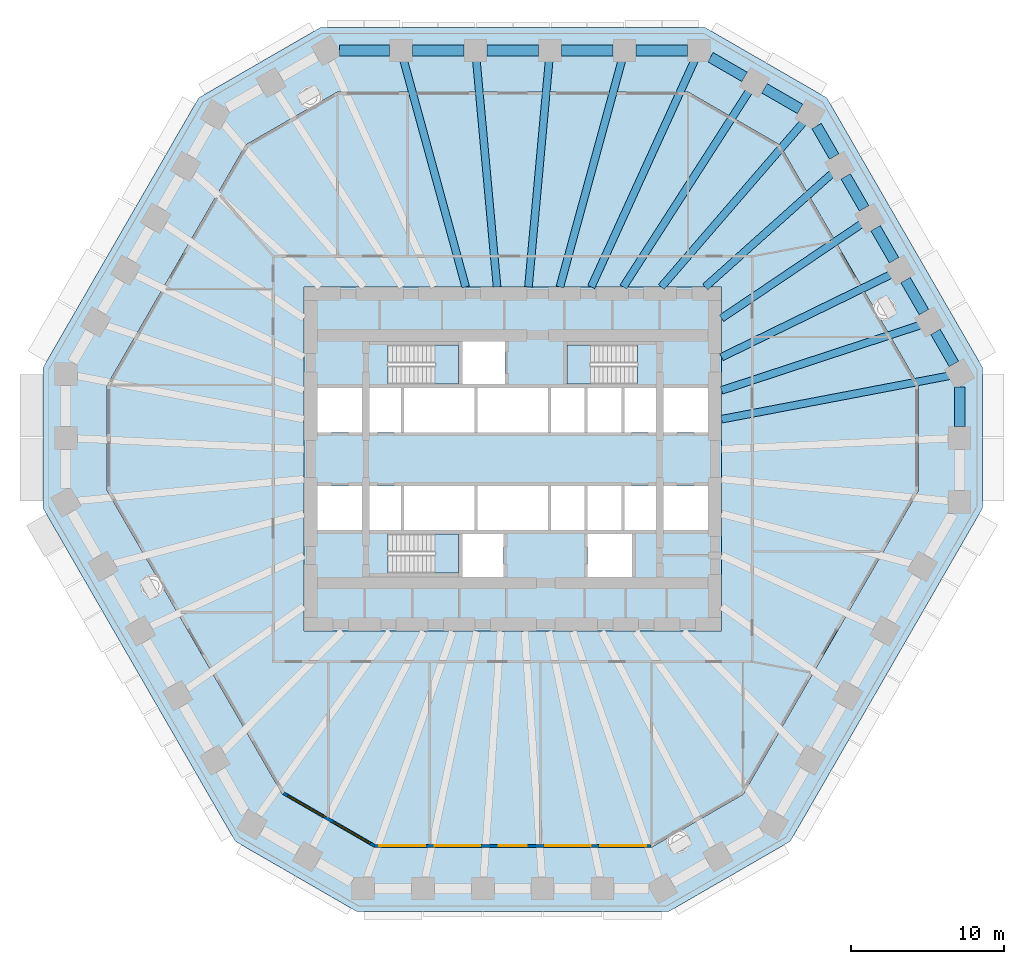
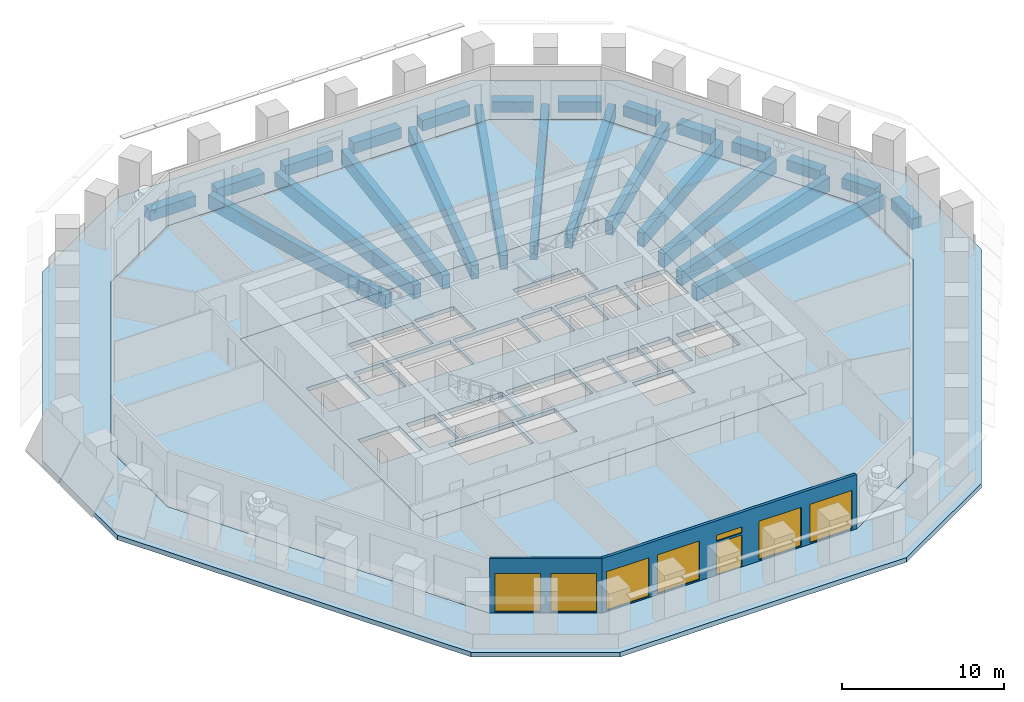
# One storey, part 2 of 12: 25 beams, 7 windows, 6 slabs, 2 walls, 1 door, 8 openings, 3 elements without a shape of their own.
"""IFC4 building model written with IfcOpenShell, lengths in metres."""

import ifcopenshell
import ifcopenshell.guid

model = None  # the IFC model being written
_history = None  # IfcOwnerHistory: only IFC2X3 demands one
_inside = {}  # id of a spatial element -> (the spatial element, [elements in it])
_under = {}  # id of a project, library or spatial element -> (it, [spatial elements below it])
_declared = {}  # id of a project -> (the project, [libraries it declares])
_typed = {}  # id of a type object -> (the type object, [elements of that type])
_made_of = {}  # id of a material, layer set ... -> (it, [elements and type objects made of it])


def new_model(schema):
    """Start an empty IFC model of exactly this schema.

    Asked for "IFC4X3", IfcOpenShell would pick the latest addendum, in which some entities
    have other attributes; the version numbers below select the first issue.
    IFC2X3 requires an IfcOwnerHistory on every rooted entity: one is made here for all.
    """
    global model, _history
    if schema == "IFC4X3":
        model = ifcopenshell.file(schema_version=(4, 3, 0, 0))
    else:
        model = ifcopenshell.file(schema=schema)
    _inside.clear()
    _under.clear()
    _declared.clear()
    _typed.clear()
    _made_of.clear()
    _history = None
    if model.schema == "IFC2X3":
        org = make("IfcOrganization", Name="unknown")
        user = make(
            "IfcPersonAndOrganization",
            ThePerson=make("IfcPerson", FamilyName="unknown"),
            TheOrganization=org,
        )
        app = make(
            "IfcApplication",
            ApplicationDeveloper=org,
            Version="unknown",
            ApplicationFullName="unknown",
            ApplicationIdentifier="unknown",
        )
        _history = make(
            "IfcOwnerHistory",
            OwningUser=user,
            OwningApplication=app,
            ChangeAction="ADDED",
            CreationDate=0,
        )
    return model


def make(cls, **values):
    """One entity of the class cls with the attributes given. An attribute that is None is left unset."""
    return model.create_entity(
        cls, **{name: value for name, value in values.items() if value is not None}
    )


def rooted(cls, **values):
    """An entity with a GlobalId (a new one), such as an element, a storey or a relation."""
    return make(cls, GlobalId=ifcopenshell.guid.new(), OwnerHistory=_history, **values)


def si_unit(unit_type, name, prefix=None):
    """IfcSIUnit, for example si_unit("LENGTHUNIT", "METRE", prefix="MILLI")."""
    return make("IfcSIUnit", UnitType=unit_type, Prefix=prefix, Name=name)


def assignment(units):
    """IfcUnitAssignment: the units of a project."""
    return None if units is None else make("IfcUnitAssignment", Units=units)


def point(xyz):
    """IfcCartesianPoint."""
    return None if xyz is None else make("IfcCartesianPoint", Coordinates=xyz)


def direction(xyz):
    """IfcDirection."""
    return None if xyz is None else make("IfcDirection", DirectionRatios=xyz)


def frame(location, z_axis=None, x_axis=None):
    """IfcAxis2Placement3D, a coordinate frame: its origin and axes. An axis left out is left unset."""
    return make(
        "IfcAxis2Placement3D",
        Location=point(location),
        Axis=direction(z_axis),
        RefDirection=direction(x_axis),
    )


def frame_2d(location, x_axis=None):
    """IfcAxis2Placement2D, a coordinate frame in the plane: its origin and x axis."""
    return make(
        "IfcAxis2Placement2D", Location=point(location), RefDirection=direction(x_axis)
    )


def origin():
    """The frame at (0, 0, 0) with its axes left unset."""
    return frame((0.0, 0.0, 0.0))


def origin_2d():
    """The frame at (0, 0) in the plane with its x axis left unset."""
    return frame_2d((0.0, 0.0))


def place(relative_to, where):
    """IfcLocalPlacement: puts the frame where relative to a parent placement (None: the world)."""
    return make(
        "IfcLocalPlacement", PlacementRelTo=relative_to, RelativePlacement=where
    )


def context(
    kind, dimensions, precision=None, world=None, true_north=None, identifier=None
):
    """IfcGeometricRepresentationContext, for example the 3D "Model" context."""
    return make(
        "IfcGeometricRepresentationContext",
        ContextIdentifier=identifier,
        ContextType=kind,
        CoordinateSpaceDimension=dimensions,
        Precision=precision,
        WorldCoordinateSystem=world,
        TrueNorth=true_north,
    )


def subcontext(parent, identifier, kind, view, scale=None):
    """IfcGeometricRepresentationSubContext, for example "Body" below "Model"."""
    return make(
        "IfcGeometricRepresentationSubContext",
        ContextIdentifier=identifier,
        ContextType=kind,
        ParentContext=parent,
        TargetScale=scale,
        TargetView=view,
    )


def project(units=None, contexts=None):
    """IfcProject with its units and contexts."""
    return rooted(
        "IfcProject",
        Name="project",
        RepresentationContexts=contexts,
        UnitsInContext=assignment(units),
    )


def spatial(cls, under=None, at=None, **own):
    """A site, building, storey or space (cls), placed at a placement, below another one or the project."""
    s = rooted(cls, ObjectPlacement=at, **own)
    if under is not None:
        _under.setdefault(under.id(), (under, []))[1].append(s)
    return s


def polyline(points):
    """IfcPolyline through the points."""
    return make("IfcPolyline", Points=[point(p) for p in points])


def profile(cls, at=None, kind="AREA", **sizes):
    """A parametric profile (cls). Its sizes go by their IFC names, for example OverallWidth=200.0."""
    return make(cls, ProfileType=kind, Position=at, **sizes)


def rectangle(**sizes):
    """IfcRectangleProfileDef."""
    return profile("IfcRectangleProfileDef", **sizes)


def outline(outer, holes=None, kind="AREA"):
    """IfcArbitraryClosedProfileDef: a profile drawn as a closed curve; with holes, ...WithVoids."""
    if holes is None:
        return make("IfcArbitraryClosedProfileDef", ProfileType=kind, OuterCurve=outer)
    return make(
        "IfcArbitraryProfileDefWithVoids",
        ProfileType=kind,
        OuterCurve=outer,
        InnerCurves=holes,
    )


def extrude(swept, where, along, depth):
    """IfcExtrudedAreaSolid: the profile swept, set in the frame where, extruded along a direction by depth."""
    return make(
        "IfcExtrudedAreaSolid",
        SweptArea=swept,
        Position=where,
        ExtrudedDirection=direction(along),
        Depth=depth,
    )


def shape(context_of_items, identifier, shape_type, items):
    """IfcShapeRepresentation: the items that make up one representation, for example the "Body"."""
    return make(
        "IfcShapeRepresentation",
        ContextOfItems=context_of_items,
        RepresentationIdentifier=identifier,
        RepresentationType=shape_type,
        Items=items,
    )


def material(Name=None, Category=None):
    """IfcMaterial."""
    return make("IfcMaterial", Name=Name, Category=Category)


def layer(
    of_material, thickness, ventilated=None, Name=None, Category=None, Priority=None
):
    """IfcMaterialLayer: one layer of a wall or slab, of a material (None: an air gap)."""
    return make(
        "IfcMaterialLayer",
        Material=of_material,
        LayerThickness=thickness,
        IsVentilated=ventilated,
        Name=Name,
        Category=Category,
        Priority=Priority,
    )


def layer_set(layers, Name=None):
    """IfcMaterialLayerSet."""
    return make("IfcMaterialLayerSet", MaterialLayers=layers, LayerSetName=Name)


def material_profile(
    of_material, cross_section, Name=None, Category=None, Priority=None
):
    """IfcMaterialProfile: a cross section and its material."""
    return make(
        "IfcMaterialProfile",
        Name=Name,
        Material=of_material,
        Profile=cross_section,
        Priority=Priority,
        Category=Category,
    )


def profile_set(profiles, Name=None, composite=None):
    """IfcMaterialProfileSet."""
    return make(
        "IfcMaterialProfileSet",
        Name=Name,
        MaterialProfiles=profiles,
        CompositeProfile=composite,
    )


def made_of(thing, what):
    """Note that an element or type object is made of a material, layer set ...; save() writes the relation."""
    if what is not None:
        _made_of.setdefault(what.id(), (what, []))[1].append(thing)
    return thing


def type_object(cls, material=None, **own):
    """A type object (cls), such as IfcWallType, which elements share."""
    return made_of(rooted(cls, **own), material)


def element(
    cls,
    number,
    at=None,
    inside=None,
    cuts=None,
    type_object=None,
    material=None,
    context=None,
    identifier="Body",
    shape_type=None,
    held_by="IfcProductDefinitionShape",
    body=None,
    shapes=None,
    **own,
):
    """One element of the class cls, such as IfcWall. Its Tag is "e" and its number.

    at: its placement. inside: the storey or other place that contains it. cuts: it is an
    opening in that element (IfcRelVoidsElement). A single representation is given by context,
    identifier, shape_type and body (its items); several are given by shapes. held_by: the class
    of the entity that holds the representations. save() writes the other relations.
    """
    e = rooted(cls, Tag="e%d" % number, ObjectPlacement=at, **own)
    if body is not None:
        shapes = [shape(context, identifier, shape_type, body)]
    if shapes is not None:
        e.Representation = make(held_by, Representations=shapes)
    if inside is not None:
        _inside.setdefault(inside.id(), (inside, []))[1].append(e)
    if cuts is not None:
        rooted(
            "IfcRelVoidsElement", RelatingBuildingElement=cuts, RelatedOpeningElement=e
        )
    if type_object is not None:
        _typed.setdefault(type_object.id(), (type_object, []))[1].append(e)
    return made_of(e, material)


def fill(opening, filler):
    """IfcRelFillsElement: the door or window that sits in an opening."""
    return rooted(
        "IfcRelFillsElement",
        RelatingOpeningElement=opening,
        RelatedBuildingElement=filler,
    )


def aggregate(whole, parts):
    """IfcRelAggregates: a whole, such as a stair, and the parts it consists of."""
    return rooted("IfcRelAggregates", RelatingObject=whole, RelatedObjects=parts)


def save(model, path):
    """Write the relations noted so far, then the file.

    IfcRelAggregates (storeys below a building ...), IfcRelContainedInSpatialStructure (elements
    in a storey), IfcRelDefinesByType, IfcRelAssociatesMaterial and IfcRelDeclares: one each for
    every whole, place, type object, material and project.
    """
    for whole, parts in _under.values():
        aggregate(whole, parts)
    for where, things in _inside.values():
        rooted(
            "IfcRelContainedInSpatialStructure",
            RelatedElements=things,
            RelatingStructure=where,
        )
    for kind, things in _typed.values():
        rooted("IfcRelDefinesByType", RelatedObjects=things, RelatingType=kind)
    for what, things in _made_of.values():
        rooted("IfcRelAssociatesMaterial", RelatedObjects=things, RelatingMaterial=what)
    for by, libraries in _declared.values():
        rooted("IfcRelDeclares", RelatingContext=by, RelatedDefinitions=libraries)
    model.write(path)


model = new_model("IFC4")

# Units and contexts
model_context = context("Model", 3, precision=1e-05, world=origin(), true_north=direction((0.0, 1.0)))
body_context = subcontext(model_context, "Body", "Model", "MODEL_VIEW")
ifc_project = project(units=[si_unit("LENGTHUNIT", "METRE"), si_unit("AREAUNIT", "SQUARE_METRE"), si_unit("VOLUMEUNIT", "CUBIC_METRE"), si_unit("PLANEANGLEUNIT", "RADIAN"), si_unit("MASSUNIT", "GRAM", prefix="KILO")], contexts=[model_context])

# Site, building, storey
site_placement = place(None, origin())
site = spatial("IfcSite", under=ifc_project, at=site_placement, CompositionType="ELEMENT")
building_placement = place(site_placement, origin())
building = spatial("IfcBuilding", under=site, at=building_placement, Name="Frailejon Research Tower", CompositionType="ELEMENT")
storey_placement = place(building_placement, frame((0.0, 0.0, 63.0)))
storey = spatial("IfcBuildingStorey", under=building, at=storey_placement, Name="L14", CompositionType="ELEMENT", Elevation=63.0)

# Beams
ifc_material_1 = material(Name="Concrete C60/75", Category="concrete")
ifc_material_profile_1 = material_profile(ifc_material_1, rectangle(XDim=0.5, YDim=1.050048828125, at=origin_2d()), Name="Girder 500x1050")
ifc_profile_set_1 = profile_set([ifc_material_profile_1], Name="Concrete C60/75")
beam_type_1 = type_object("IfcBeamType", Name="Girder 500x1050", PredefinedType="BEAM", material=ifc_profile_set_1)
beam_1_placement = place(storey_placement, frame((28.578369140625, 5.44970703125, -0.824951171875), z_axis=(-0.982297344318, -0.187328394395, 0.0), x_axis=(0.187328394395, -0.982297344318, 0.0)))
element("IfcBeam", 1, at=beam_1_placement, inside=storey, type_object=beam_type_1, Name="Girder 500x1050", PredefinedType="BEAM", context=body_context, shape_type="SweptSolid", body=[
    extrude(rectangle(XDim=0.5, YDim=1.050048828125, at=origin_2d()), origin(), (0.0, 0.0, 1.0), 15.197509765625),
])
beam_2_placement = place(storey_placement, frame((26.66943359375, 8.766357421875, -0.824951171875), z_axis=(-0.949995064088, -0.312264916712, 0.0), x_axis=(0.312264916712, -0.949995064088, 0.0)))
element("IfcBeam", 2, at=beam_2_placement, inside=storey, type_object=beam_type_1, Name="Girder 500x1050", PredefinedType="BEAM", context=body_context, shape_type="SweptSolid", body=[
    extrude(rectangle(XDim=0.5, YDim=1.050048828125, at=origin_2d()), origin(), (0.0, 0.0, 1.0), 13.704833984375),
])
beam_3_placement = place(storey_placement, frame((24.7578125, 12.083251953125, -0.824951171875), z_axis=(-0.898683953103, -0.43859679939, 0.0), x_axis=(0.43859679939, -0.898683953103, 0.0)))
element("IfcBeam", 3, at=beam_3_placement, inside=storey, type_object=beam_type_1, Name="Girder 500x1050", PredefinedType="BEAM", context=body_context, shape_type="SweptSolid", body=[
    extrude(rectangle(XDim=0.5, YDim=1.050048828125, at=origin_2d()), origin(), (0.0, 0.0, 1.0), 12.360107421875),
])
beam_4_placement = place(storey_placement, frame((22.84326171875, 15.399169921875, -0.824951171875), z_axis=(-0.82919365434, -0.558961433019, 0.0), x_axis=(0.558961433019, -0.82919365434, 0.0)))
element("IfcBeam", 4, at=beam_4_placement, inside=storey, type_object=beam_type_1, Name="Girder 500x1050", PredefinedType="BEAM", context=body_context, shape_type="SweptSolid", body=[
    extrude(rectangle(XDim=0.5, YDim=1.050048828125, at=origin_2d()), origin(), (0.0, 0.0, 1.0), 11.087158203125),
])
beam_5_placement = place(storey_placement, frame((20.926513671875, 18.713134765625, -0.824951171875), z_axis=(-0.745431765293, -0.666581940419, 0.0), x_axis=(0.666581940419, -0.745431765293, 0.0)))
element("IfcBeam", 5, at=beam_5_placement, inside=storey, type_object=beam_type_1, Name="Girder 500x1050", PredefinedType="BEAM", context=body_context, shape_type="SweptSolid", body=[
    extrude(rectangle(XDim=0.5, YDim=1.050048828125, at=origin_2d()), origin(), (0.0, 0.0, 1.0), 11.196044921875),
])
beam_6_placement = place(storey_placement, frame((19.02880859375, 22.0478515625, -0.824951171875), z_axis=(-0.653375625699, -0.757033877539, 0.0), x_axis=(0.757033877539, -0.653375625699, 0.0)))
element("IfcBeam", 6, at=beam_6_placement, inside=storey, type_object=beam_type_1, Name="Girder 500x1050", PredefinedType="BEAM", context=body_context, shape_type="SweptSolid", body=[
    extrude(rectangle(XDim=0.5, YDim=1.050048828125, at=origin_2d()), origin(), (0.0, 0.0, 1.0), 14.263427734375),
])
beam_7_placement = place(storey_placement, frame((15.478515625, 24.1005859375, -0.824951171875), z_axis=(-0.540402055677, -0.841406927842, 0.0), x_axis=(0.841406927842, -0.540402055677, 0.0)))
element("IfcBeam", 7, at=beam_7_placement, inside=storey, type_object=beam_type_1, Name="Girder 500x1050", PredefinedType="BEAM", context=body_context, shape_type="SweptSolid", body=[
    extrude(rectangle(XDim=0.5, YDim=1.050048828125, at=origin_2d()), origin(), (0.0, 0.0, 1.0), 15.272705078125),
])
beam_8_placement = place(storey_placement, frame((11.896728515625, 26.08642578125, -0.824951171875), z_axis=(-0.414935166757, -0.909850980869, 0.0), x_axis=(0.909850980869, -0.414935166757, 0.0)))
element("IfcBeam", 8, at=beam_8_placement, inside=storey, type_object=beam_type_1, Name="Girder 500x1050", PredefinedType="BEAM", context=body_context, shape_type="SweptSolid", body=[
    extrude(rectangle(XDim=0.5, YDim=1.050048828125, at=origin_2d()), origin(), (0.0, 0.0, 1.0), 16.306396484375),
])
beam_9_placement = place(storey_placement, frame((7.140380859375, 26.0947265625, -0.824951171875), z_axis=(-0.263930724671, -0.964541638591, 0.0), x_axis=(0.964541638591, -0.263930724671, 0.0)))
element("IfcBeam", 9, at=beam_9_placement, inside=storey, type_object=beam_type_1, Name="Girder 500x1050", PredefinedType="BEAM", context=body_context, shape_type="SweptSolid", body=[
    extrude(rectangle(XDim=0.5, YDim=1.050048828125, at=origin_2d()), origin(), (0.0, 0.0, 1.0), 15.390380859375),
])
for number, where, z_axis, x_axis, name in (
    (10, (2.380615234375, 26.099365234375, -0.824951171875), (-0.090838377195, -0.995865648182, 0.0), (0.995865648182, -0.090838377195, 0.0), "Girder 500x1050"),
    (11, (-2.380615234375, 26.099365234375, -0.824951171875), (0.090838377195, -0.995865648182, 0.0), (0.995865648182, 0.090838377195, 0.0), "Girder 500x1050"),
):
    element("IfcBeam", number, at=place(storey_placement, frame(where, z_axis=z_axis, x_axis=x_axis)), inside=storey, type_object=beam_type_1, Name=name, PredefinedType="BEAM", context=body_context, shape_type="SweptSolid", body=[
        extrude(rectangle(XDim=0.5, YDim=1.050048828125, at=origin_2d()), origin(), (0.0, 0.0, 1.0), 14.9111328125),
    ])
beam_10_placement = place(storey_placement, frame((-7.140380859375, 26.0947265625, -0.824951171875), z_axis=(0.263930724671, -0.964541638591, 0.0), x_axis=(0.964541638591, 0.263930724671, 0.0)))
element("IfcBeam", 12, at=beam_10_placement, inside=storey, type_object=beam_type_1, Name="Girder 500x1050", PredefinedType="BEAM", context=body_context, shape_type="SweptSolid", body=[
    extrude(rectangle(XDim=0.5, YDim=1.050048828125, at=origin_2d()), origin(), (0.0, 0.0, 1.0), 15.390380859375),
])
ifc_material_2 = material(Name="Concrete C60/75", Category="concrete")
ifc_material_profile_2 = material_profile(ifc_material_2, rectangle(XDim=0.699951171875, YDim=0.800048828125, at=origin_2d()), Name="Spandrel 700x800")
ifc_profile_set_2 = profile_set([ifc_material_profile_2], Name="Concrete C60/75")
beam_type_2 = type_object("IfcBeamType", Name="Spandrel 700x800", PredefinedType="BEAM", material=ifc_profile_set_2)
beam_11_placement = place(storey_placement, frame((29.211181640625, 2.1328125, -0.75), z_axis=(0.0, 1.0, 0.0), x_axis=(-1.0, 0.0, 0.0)))
element("IfcBeam", 13, at=beam_11_placement, inside=storey, type_object=beam_type_2, Name="Spandrel 700x800", PredefinedType="BEAM", context=body_context, shape_type="SweptSolid", body=[
    extrude(rectangle(XDim=0.699951171875, YDim=0.800048828125, at=origin_2d()), origin(), (0.0, 0.0, 1.0), 2.571533203125),
])
beam_12_placement = place(storey_placement, frame((28.836181640625, 6.2197265625, -0.75), z_axis=(-0.500002762329, 0.866023808947, 0.0), x_axis=(-0.866023808947, -0.500002762329, 0.0)))
element("IfcBeam", 14, at=beam_12_placement, inside=storey, type_object=beam_type_2, Name="Spandrel 700x800", PredefinedType="BEAM", context=body_context, shape_type="SweptSolid", body=[
    extrude(rectangle(XDim=0.699951171875, YDim=0.800048828125, at=origin_2d()), origin(), (0.0, 0.0, 1.0), 2.41259765625),
])
for number, where, z_axis, x_axis, name in (
    (15, (26.8798828125, 9.608154296875, -0.75), (-0.499958946799, 0.866049104564, 0.0), (-0.866049104564, -0.499958946799, 0.0), "Spandrel 700x800"),
    (16, (24.923583984375, 12.99658203125, -0.75), (-0.499958946799, 0.866049104564, 0.0), (-0.866049104564, -0.499958946799, 0.0), "Spandrel 700x800"),
    (17, (22.96728515625, 16.385009765625, -0.75), (-0.499958946799, 0.866049104564, 0.0), (-0.866049104564, -0.499958946799, 0.0), "Spandrel 700x800"),
):
    element("IfcBeam", number, at=place(storey_placement, frame(where, z_axis=z_axis, x_axis=x_axis)), inside=storey, type_object=beam_type_2, Name=name, PredefinedType="BEAM", context=body_context, shape_type="SweptSolid", body=[
        extrude(rectangle(XDim=0.699951171875, YDim=0.800048828125, at=origin_2d()), origin(), (0.0, 0.0, 1.0), 2.412841796875),
    ])
beam_13_placement = place(storey_placement, frame((21.010986328125, 19.7734375, -0.75), z_axis=(-0.500026097828, 0.866010335672, 0.0), x_axis=(-0.866010335672, -0.500026097828, 0.0)))
element("IfcBeam", 18, at=beam_13_placement, inside=storey, type_object=beam_type_2, Name="Spandrel 700x800", PredefinedType="BEAM", context=body_context, shape_type="SweptSolid", body=[
    extrude(rectangle(XDim=0.699951171875, YDim=0.800048828125, at=origin_2d()), origin(), (0.0, 0.0, 1.0), 2.296875),
])
beam_14_placement = place(storey_placement, frame((18.780029296875, 22.887451171875, -0.75), z_axis=(-0.866020687897, 0.500008168067, 0.0), x_axis=(-0.500008168067, -0.866020687897, 0.0)))
element("IfcBeam", 19, at=beam_14_placement, inside=storey, type_object=beam_type_2, Name="Spandrel 700x800", PredefinedType="BEAM", context=body_context, shape_type="SweptSolid", body=[
    extrude(rectangle(XDim=0.699951171875, YDim=0.800048828125, at=origin_2d()), origin(), (0.0, 0.0, 1.0), 2.6875),
])
beam_15_placement = place(storey_placement, frame((15.153564453125, 24.981201171875, -0.75), z_axis=(-0.866008514048, 0.50002925274, 0.0), x_axis=(-0.50002925274, -0.866008514048, 0.0)))
element("IfcBeam", 20, at=beam_15_placement, inside=storey, type_object=beam_type_2, Name="Spandrel 700x800", PredefinedType="BEAM", context=body_context, shape_type="SweptSolid", body=[
    extrude(rectangle(XDim=0.699951171875, YDim=0.800048828125, at=origin_2d()), origin(), (0.0, 0.0, 1.0), 2.571533203125),
])
for number, where, z_axis, x_axis, name in (
    (21, (11.426513671875, 26.699951171875, -0.75), (-1.0, 0.0, 0.0), (0.0, -1.0, 0.0), "Spandrel 700x800"),
    (22, (6.555908203125, 26.699951171875, -0.75), (-1.0, 0.0, 0.0), (0.0, -1.0, 0.0), "Spandrel 700x800"),
    (23, (1.685302734375, 26.699951171875, -0.75), (-1.0, 0.0, 0.0), (0.0, -1.0, 0.0), "Spandrel 700x800"),
    (24, (-3.185302734375, 26.699951171875, -0.75), (-1.0, 0.0, 0.0), (0.0, -1.0, 0.0), "Spandrel 700x800"),
):
    element("IfcBeam", number, at=place(storey_placement, frame(where, z_axis=z_axis, x_axis=x_axis)), inside=storey, type_object=beam_type_2, Name=name, PredefinedType="BEAM", context=body_context, shape_type="SweptSolid", body=[
        extrude(rectangle(XDim=0.699951171875, YDim=0.800048828125, at=origin_2d()), origin(), (0.0, 0.0, 1.0), 3.37060546875),
    ])
beam_16_placement = place(storey_placement, frame((-8.055908203125, 26.699951171875, -0.75), z_axis=(-1.0, 0.0, 0.0), x_axis=(0.0, -1.0, 0.0)))
element("IfcBeam", 25, at=beam_16_placement, inside=storey, type_object=beam_type_2, Name="Spandrel 700x800", PredefinedType="BEAM", context=body_context, shape_type="SweptSolid", body=[
    extrude(rectangle(XDim=0.699951171875, YDim=0.800048828125, at=origin_2d()), origin(), (0.0, 0.0, 1.0), 3.254638671875),
])

# Slabs
ifc_material_3 = material(Name="Concrete C70/85", Category="concrete")
ifc_layer_1 = layer(ifc_material_3, 0.300048828125)
ifc_layer_set_1 = layer_set([ifc_layer_1], Name="Core floor slab 300 C70/85")
slab_type_1 = type_object("IfcSlabType", Name="Core floor slab 300 C70/85", PredefinedType="FLOOR", material=ifc_layer_set_1)
slab_1_placement = place(storey_placement, frame((0.0, 0.0, -0.300048828125)))
element("IfcSlab", 26, at=slab_1_placement, inside=storey, type_object=slab_type_1, Name="Core floor slab", PredefinedType="FLOOR", context=body_context, shape_type="SweptSolid", body=[
    extrude(outline(polyline([(13.64990234375, -11.25), (13.64990234375, 11.25), (-13.64990234375, 11.25), (-13.64990234375, -11.25), (13.64990234375, -11.25)]), holes=[polyline([(-9.85009765625, 1.75), (-9.85009765625, 4.64990234375), (-12.75, 4.64990234375), (-12.75, 1.75), (-9.85009765625, 1.75)]), polyline([(-7.300048828125, 1.75), (-7.300048828125, 4.64990234375), (-9.35009765625, 4.64990234375), (-9.35009765625, 1.75), (-7.300048828125, 1.75)]), polyline([(-2.5, 1.75), (-2.5, 4.64990234375), (-7.10009765625, 4.64990234375), (-7.10009765625, 1.75), (-2.5, 1.75)]), polyline([(2.300048828125, 1.75), (2.300048828125, 4.64990234375), (-2.300048828125, 4.64990234375), (-2.300048828125, 1.75), (2.300048828125, 1.75)]), polyline([(4.699951171875, 1.75), (4.699951171875, 4.64990234375), (2.5, 4.64990234375), (2.5, 1.75), (4.699951171875, 1.75)]), polyline([(7.10009765625, 1.75), (7.10009765625, 4.64990234375), (4.89990234375, 4.64990234375), (4.89990234375, 1.75), (7.10009765625, 1.75)]), polyline([(9.35009765625, 1.75), (9.35009765625, 4.64990234375), (7.300048828125, 4.64990234375), (7.300048828125, 1.75), (9.35009765625, 1.75)]), polyline([(12.75, 1.75), (12.75, 4.64990234375), (9.85009765625, 4.64990234375), (9.85009765625, 1.75), (12.75, 1.75)]), polyline([(-9.85009765625, -4.64990234375), (-9.85009765625, -1.75), (-12.75, -1.75), (-12.75, -4.64990234375), (-9.85009765625, -4.64990234375)]), polyline([(-7.300048828125, -4.64990234375), (-7.300048828125, -1.75), (-9.35009765625, -1.75), (-9.35009765625, -4.64990234375), (-7.300048828125, -4.64990234375)]), polyline([(-2.5, -4.64990234375), (-2.5, -1.75), (-7.10009765625, -1.75), (-7.10009765625, -4.64990234375), (-2.5, -4.64990234375)]), polyline([(2.300048828125, -4.64990234375), (2.300048828125, -1.75), (-2.300048828125, -1.75), (-2.300048828125, -4.64990234375), (2.300048828125, -4.64990234375)]), polyline([(4.699951171875, -4.64990234375), (4.699951171875, -1.75), (2.5, -1.75), (2.5, -4.64990234375), (4.699951171875, -4.64990234375)]), polyline([(7.10009765625, -4.64990234375), (7.10009765625, -1.75), (4.89990234375, -1.75), (4.89990234375, -4.64990234375), (7.10009765625, -4.64990234375)]), polyline([(9.35009765625, -4.64990234375), (9.35009765625, -1.75), (7.300048828125, -1.75), (7.300048828125, -4.64990234375), (9.35009765625, -4.64990234375)]), polyline([(12.75, -4.64990234375), (12.75, -1.75), (9.85009765625, -1.75), (9.85009765625, -4.64990234375), (12.75, -4.64990234375)]), polyline([(-8.14697265625, 4.89990234375), (-3.550048828125, 4.89990234375), (-3.550048828125, 7.449951171875), (-8.14697265625, 7.449951171875), (-8.14697265625, 4.89990234375)]), polyline([(-8.14697265625, -7.449951171875), (-3.550048828125, -7.449951171875), (-3.550048828125, -4.89990234375), (-8.14697265625, -4.89990234375), (-8.14697265625, -7.449951171875)]), polyline([(8.14697265625, 7.449951171875), (3.550048828125, 7.449951171875), (3.550048828125, 4.89990234375), (8.14697265625, 4.89990234375), (8.14697265625, 7.449951171875)]), polyline([(-0.60009765625, -7.699951171875), (-0.60009765625, -4.89990234375), (-3.300048828125, -4.89990234375), (-3.300048828125, -7.699951171875), (-0.60009765625, -7.699951171875)]), polyline([(7.800048828125, -7.699951171875), (7.800048828125, -4.89990234375), (4.89990234375, -4.89990234375), (4.89990234375, -7.699951171875), (7.800048828125, -7.699951171875)]), polyline([(-0.5, 4.89990234375), (-0.5, 7.699951171875), (-3.300048828125, 7.699951171875), (-3.300048828125, 4.89990234375), (-0.5, 4.89990234375)])]), origin(), (0.0, 0.0, 1.0), 0.300048828125),
])
ifc_material_4 = material(Name="Concrete C40/50", Category="concrete")
ifc_layer_2 = layer(ifc_material_4, 0.35009765625)
ifc_layer_set_2 = layer_set([ifc_layer_2], Name="Loggia slab 350")
slab_type_2 = type_object("IfcSlabType", Name="Loggia slab 350", PredefinedType="USERDEFINED", material=ifc_layer_set_2)
slab_2_placement = place(storey_placement, frame((0.0, 0.0, -0.35009765625)))
element("IfcSlab", 27, at=slab_2_placement, inside=storey, type_object=slab_type_2, Name="Loggia slab L14", ObjectType="LOGGIA", PredefinedType="USERDEFINED", context=body_context, shape_type="SweptSolid", body=[
    extrude(outline(polyline([(18.1328125, -24.993408203125), (10.18359375, -29.582763671875), (-10.18359375, -29.582763671875), (-18.1328125, -24.993408203125), (-30.711181640625, -3.206787109375), (-30.711181640625, 5.97216796875), (-20.527587890625, 23.610595703125), (-12.57861328125, 28.199951171875), (12.57861328125, 28.199951171875), (20.527587890625, 23.610595703125), (30.711181640625, 5.97216796875), (30.711181640625, -3.206787109375), (18.1328125, -24.993408203125)]), holes=[polyline([(26.510986328125, 4.846923828125), (17.453125, 20.535888671875), (11.453125, 24.0), (-11.453125, 24.0), (-17.453125, 20.535888671875), (-26.510986328125, 4.846923828125), (-26.510986328125, -2.081298828125), (-15.05810546875, -21.918701171875), (-9.05810546875, -25.3828125), (9.05810546875, -25.3828125), (15.05810546875, -21.918701171875), (26.510986328125, -2.081298828125), (26.510986328125, 4.846923828125)])]), origin(), (0.0, 0.0, 1.0), 0.35009765625),
])
ifc_material_5 = material(Name="Concrete C40/50", Category="concrete")
ifc_layer_3 = layer(ifc_material_5, 0.300048828125)
ifc_layer_set_3 = layer_set([ifc_layer_3], Name="Slab typical 300")
slab_type_3 = type_object("IfcSlabType", Name="Slab typical 300", PredefinedType="FLOOR", material=ifc_layer_set_3)
slab_3_placement = place(storey_placement, frame((0.0, 0.0, -0.300048828125)))
element("IfcSlab", 28, at=slab_3_placement, inside=storey, type_object=slab_type_3, Name="Floor slab L14", PredefinedType="FLOOR", context=body_context, shape_type="SweptSolid", body=[
    extrude(outline(polyline([(26.510986328125, -2.081298828125), (26.510986328125, 4.846923828125), (17.453125, 20.535888671875), (11.453125, 24.0), (-11.453125, 24.0), (-17.453125, 20.535888671875), (-26.510986328125, 4.846923828125), (-26.510986328125, -2.081298828125), (-15.05810546875, -21.918701171875), (-9.05810546875, -25.3828125), (9.05810546875, -25.3828125), (15.05810546875, -21.918701171875), (26.510986328125, -2.081298828125)]), holes=[polyline([(13.64990234375, -11.25), (-13.64990234375, -11.25), (-13.64990234375, 11.25), (13.64990234375, 11.25), (13.64990234375, -11.25)])]), origin(), (0.0, 0.0, 1.0), 0.300048828125),
])

# Stair, slab
ifc_material_6 = material(Name="Concrete C50/60", Category="concrete")
stair_type = type_object("IfcStairType", Name="Exit stair 24 risers", PredefinedType="HALF_TURN_STAIR", material=ifc_material_6)
stair_1_placement = place(storey_placement, origin())
stair_1 = element("IfcStair", 29, at=stair_1_placement, inside=storey, type_object=stair_type, Name="L14 Exit stair ST1", PredefinedType="HALF_TURN_STAIR")
ifc_material_7 = material(Name="Concrete C50/60", Category="concrete")
ifc_layer_4 = layer(ifc_material_7, 0.199951171875)
ifc_layer_set_4 = layer_set([ifc_layer_4], Name="Stair landing slab 200")
slab_type_4 = type_object("IfcSlabType", Name="Stair landing slab 200", PredefinedType="LANDING", material=ifc_layer_set_4)
slab_4_placement = place(storey_placement, frame((0.0, 0.0, 2.0)))
slab_4 = element("IfcSlab", 30, at=slab_4_placement, type_object=slab_type_4, Name="ST1 landing 1", PredefinedType="LANDING", context=body_context, shape_type="SweptSolid", body=[
    extrude(outline(polyline([(-5.070068359375, 4.89990234375), (-3.550048828125, 4.89990234375), (-3.550048828125, 7.449951171875), (-5.070068359375, 7.449951171875), (-5.070068359375, 4.89990234375)])), origin(), (0.0, 0.0, 1.0), 0.199951171875),
])
aggregate(stair_1, [slab_4])

stair_2_placement = place(storey_placement, origin())
stair_2 = element("IfcStair", 31, at=stair_2_placement, inside=storey, type_object=stair_type, Name="L14 Exit stair ST2", PredefinedType="HALF_TURN_STAIR")
slab_5_placement = place(storey_placement, frame((0.0, 0.0, 2.0)))
slab_5 = element("IfcSlab", 32, at=slab_5_placement, type_object=slab_type_4, Name="ST2 landing 1", PredefinedType="LANDING", context=body_context, shape_type="SweptSolid", body=[
    extrude(outline(polyline([(-5.070068359375, -7.449951171875), (-3.550048828125, -7.449951171875), (-3.550048828125, -4.89990234375), (-5.070068359375, -4.89990234375), (-5.070068359375, -7.449951171875)])), origin(), (0.0, 0.0, 1.0), 0.199951171875),
])
aggregate(stair_2, [slab_5])

stair_3_placement = place(storey_placement, origin())
stair_3 = element("IfcStair", 33, at=stair_3_placement, inside=storey, type_object=stair_type, Name="L14 Exit stair ST3", PredefinedType="HALF_TURN_STAIR")
slab_6_placement = place(storey_placement, frame((0.0, 0.0, 2.0)))
slab_6 = element("IfcSlab", 34, at=slab_6_placement, type_object=slab_type_4, Name="ST3 landing 1", PredefinedType="LANDING", context=body_context, shape_type="SweptSolid", body=[
    extrude(outline(polyline([(5.070068359375, 7.449951171875), (3.550048828125, 7.449951171875), (3.550048828125, 4.89990234375), (5.070068359375, 4.89990234375), (5.070068359375, 7.449951171875)])), origin(), (0.0, 0.0, 1.0), 0.199951171875),
])
aggregate(stair_3, [slab_6])

# Wall, openings, windows
ifc_material_8 = material(Name="Concrete C40/50 precast window wall panel", Category="concrete")
ifc_layer_5 = layer(ifc_material_8, 0.199951171875)
ifc_layer_set_5 = layer_set([ifc_layer_5], Name="Window wall 200")
wall_type = type_object("IfcWallType", Name="Window wall 200", PredefinedType="SOLIDWALL", material=ifc_layer_set_5)
wall_1_placement = place(storey_placement, frame((-14.98486328125, -21.845458984375, 0.0), z_axis=(0.0, 0.0, 1.0), x_axis=(0.866029458321, -0.49999297727, 0.0)))
wall_1 = element("IfcWall", 35, at=wall_1_placement, inside=storey, type_object=wall_type, Name="Exterior wall L14", PredefinedType="SOLIDWALL", context=body_context, shape_type="SweptSolid", body=[
    extrude(outline(polyline([(-0.02685546875, -0.10009765625), (1.1279296875, -0.10009765625), (2.282470703125, -0.10009765625), (3.437255859375, -0.10009765625), (4.592041015625, -0.10009765625), (5.74658203125, -0.10009765625), (6.9013671875, -0.10009765625), (6.84765625, 0.10009765625), (5.7109375, 0.10009765625), (4.573974609375, 0.10009765625), (3.437255859375, 0.10009765625), (2.300537109375, 0.10009765625), (1.16357421875, 0.10009765625), (0.02685546875, 0.10009765625), (-0.02685546875, -0.10009765625)])), origin(), (0.0, 0.0, 1.0), 4.10009765625),
])
opening_1_placement = place(wall_1_placement, frame((0.318603515625, 0.0, 0.10009765625)))
opening_1 = element("IfcOpeningElement", 36, at=opening_1_placement, cuts=wall_1, Name="Opening W3", PredefinedType="OPENING", context=body_context, shape_type="SweptSolid", body=[
    extrude(rectangle(XDim=2.800048828125, YDim=2.89990234375, at=frame_2d((1.39990234375, 1.449951171875))), frame((0.0, 0.10986328125, 0.0), z_axis=(0.0, -1.0, 0.0), x_axis=(1.0, 0.0, 0.0)), (0.0, 0.0, 1.0), 0.219970703125),
])
opening_2_placement = place(wall_1_placement, frame((3.756103515625, 0.0, 0.10009765625)))
opening_2 = element("IfcOpeningElement", 37, at=opening_2_placement, cuts=wall_1, Name="Opening W3", PredefinedType="OPENING", context=body_context, shape_type="SweptSolid", body=[
    extrude(rectangle(XDim=2.800048828125, YDim=2.89990234375, at=frame_2d((1.39990234375, 1.449951171875))), frame((0.0, 0.10986328125, 0.0), z_axis=(0.0, -1.0, 0.0), x_axis=(1.0, 0.0, 0.0)), (0.0, 0.0, 1.0), 0.219970703125),
])
ifc_material_9 = material(Name="Aluminium framed double glazing", Category="aluminium")
window_type_1 = type_object("IfcWindowType", Name="Window 2800x2900", PartitioningType="SINGLE_PANEL", PredefinedType="WINDOW", material=ifc_material_9)
window_1_placement = place(opening_1_placement, origin())
window_1 = element("IfcWindow", 38, at=window_1_placement, inside=storey, type_object=window_type_1, Name="Window L14", OverallHeight=2.89990234375, OverallWidth=2.800048828125, PartitioningType="SINGLE_PANEL", PredefinedType="WINDOW", context=body_context, shape_type="SweptSolid", body=[
    extrude(rectangle(XDim=2.800048828125, YDim=2.89990234375, at=frame_2d((1.39990234375, 1.449951171875))), frame((0.0, 0.030029296875, 0.0), z_axis=(0.0, -1.0, 0.0), x_axis=(1.0, 0.0, 0.0)), (0.0, 0.0, 1.0), 0.06005859375),
])
fill(opening_1, window_1)
window_2_placement = place(opening_2_placement, origin())
window_2 = element("IfcWindow", 39, at=window_2_placement, inside=storey, type_object=window_type_1, Name="Window L14", OverallHeight=2.89990234375, OverallWidth=2.800048828125, PartitioningType="SINGLE_PANEL", PredefinedType="WINDOW", context=body_context, shape_type="SweptSolid", body=[
    extrude(rectangle(XDim=2.800048828125, YDim=2.89990234375, at=frame_2d((1.39990234375, 1.449951171875))), frame((0.0, 0.030029296875, 0.0), z_axis=(0.0, -1.0, 0.0), x_axis=(1.0, 0.0, 0.0)), (0.0, 0.0, 1.0), 0.06005859375),
])
fill(opening_2, window_2)

# Wall, openings, door, windows
wall_2_placement = place(storey_placement, frame((-9.03125, -25.28271484375, 0.0), z_axis=(0.0, 0.0, 1.0), x_axis=(1.0, 0.0, 0.0)))
wall_2 = element("IfcWall", 40, at=wall_2_placement, inside=storey, type_object=wall_type, Name="Exterior wall L14", PredefinedType="SOLIDWALL", context=body_context, shape_type="SweptSolid", body=[
    extrude(outline(polyline([(-0.02685546875, -0.10009765625), (0.9794921875, -0.10009765625), (1.986083984375, -0.10009765625), (2.992431640625, -0.10009765625), (3.9990234375, -0.10009765625), (5.00537109375, -0.10009765625), (6.011962890625, -0.10009765625), (7.018310546875, -0.10009765625), (8.02490234375, -0.10009765625), (9.03125, -0.10009765625), (10.03759765625, -0.10009765625), (11.044189453125, -0.10009765625), (12.050537109375, -0.10009765625), (13.05712890625, -0.10009765625), (14.0634765625, -0.10009765625), (15.070068359375, -0.10009765625), (16.076416015625, -0.10009765625), (17.0830078125, -0.10009765625), (18.08935546875, -0.10009765625), (18.03564453125, 0.10009765625), (17.03515625, 0.10009765625), (16.03466796875, 0.10009765625), (15.0341796875, 0.10009765625), (14.03369140625, 0.10009765625), (13.033203125, 0.10009765625), (12.03271484375, 0.10009765625), (11.0322265625, 0.10009765625), (10.03173828125, 0.10009765625), (9.03125, 0.10009765625), (8.03076171875, 0.10009765625), (7.0302734375, 0.10009765625), (6.02978515625, 0.10009765625), (5.029296875, 0.10009765625), (4.02880859375, 0.10009765625), (3.0283203125, 0.10009765625), (2.02783203125, 0.10009765625), (1.02734375, 0.10009765625), (0.02685546875, 0.10009765625), (-0.02685546875, -0.10009765625)])), origin(), (0.0, 0.0, 1.0), 4.10009765625),
])
opening_3_placement = place(wall_2_placement, frame((0.306396484375, 0.0, 0.10009765625)))
opening_3 = element("IfcOpeningElement", 41, at=opening_3_placement, cuts=wall_2, Name="Opening W4", PredefinedType="OPENING", context=body_context, shape_type="SweptSolid", body=[
    extrude(rectangle(XDim=3.0, YDim=2.89990234375, at=frame_2d((1.5, 1.449951171875))), frame((0.0, 0.10986328125, 0.0), z_axis=(0.0, -1.0, 0.0), x_axis=(1.0, 0.0, 0.0)), (0.0, 0.0, 1.0), 0.219970703125),
])
opening_4_placement = place(wall_2_placement, frame((3.918701171875, 0.0, 0.10009765625)))
opening_4 = element("IfcOpeningElement", 42, at=opening_4_placement, cuts=wall_2, Name="Opening W4", PredefinedType="OPENING", context=body_context, shape_type="SweptSolid", body=[
    extrude(rectangle(XDim=3.0, YDim=2.89990234375, at=frame_2d((1.5, 1.449951171875))), frame((0.0, 0.10986328125, 0.0), z_axis=(0.0, -1.0, 0.0), x_axis=(1.0, 0.0, 0.0)), (0.0, 0.0, 1.0), 0.219970703125),
])
opening_5_placement = place(wall_2_placement, frame((8.13134765625, 0.0, 0.0)))
opening_5 = element("IfcOpeningElement", 43, at=opening_5_placement, cuts=wall_2, Name="Opening LG14-5", PredefinedType="OPENING", context=body_context, shape_type="SweptSolid", body=[
    extrude(rectangle(XDim=1.800048828125, YDim=2.39990234375, at=frame_2d((0.89990234375, 1.199951171875))), frame((0.0, 0.10986328125, 0.0), z_axis=(0.0, -1.0, 0.0), x_axis=(1.0, 0.0, 0.0)), (0.0, 0.0, 1.0), 0.219970703125),
])
opening_6_placement = place(wall_2_placement, frame((8.13134765625, 0.0, 2.550048828125)))
opening_6 = element("IfcOpeningElement", 44, at=opening_6_placement, cuts=wall_2, Name="Opening W1", PredefinedType="OPENING", context=body_context, shape_type="SweptSolid", body=[
    extrude(rectangle(XDim=1.800048828125, YDim=0.449951171875, at=frame_2d((0.89990234375, 0.22509765625))), frame((0.0, 0.10986328125, 0.0), z_axis=(0.0, -1.0, 0.0), x_axis=(1.0, 0.0, 0.0)), (0.0, 0.0, 1.0), 0.219970703125),
])
opening_7_placement = place(wall_2_placement, frame((11.143798828125, 0.0, 0.10009765625)))
opening_7 = element("IfcOpeningElement", 45, at=opening_7_placement, cuts=wall_2, Name="Opening W4", PredefinedType="OPENING", context=body_context, shape_type="SweptSolid", body=[
    extrude(rectangle(XDim=3.0, YDim=2.89990234375, at=frame_2d((1.5, 1.449951171875))), frame((0.0, 0.10986328125, 0.0), z_axis=(0.0, -1.0, 0.0), x_axis=(1.0, 0.0, 0.0)), (0.0, 0.0, 1.0), 0.219970703125),
])
opening_8_placement = place(wall_2_placement, frame((14.75634765625, 0.0, 0.10009765625)))
opening_8 = element("IfcOpeningElement", 46, at=opening_8_placement, cuts=wall_2, Name="Opening W4", PredefinedType="OPENING", context=body_context, shape_type="SweptSolid", body=[
    extrude(rectangle(XDim=3.0, YDim=2.89990234375, at=frame_2d((1.5, 1.449951171875))), frame((0.0, 0.10986328125, 0.0), z_axis=(0.0, -1.0, 0.0), x_axis=(1.0, 0.0, 0.0)), (0.0, 0.0, 1.0), 0.219970703125),
])
ifc_material_10 = material(Name="Aluminium framed glazed door leaf", Category="aluminium")
door_type = type_object("IfcDoorType", Name="Loggia door 1800x2400", OperationType="DOUBLE_DOOR_SINGLE_SWING", PredefinedType="DOOR", material=ifc_material_10)
door_placement = place(opening_5_placement, origin())
door = element("IfcDoor", 47, at=door_placement, inside=storey, type_object=door_type, Name="Door LG14-5", OperationType="DOUBLE_DOOR_SINGLE_SWING", OverallHeight=2.39990234375, OverallWidth=1.800048828125, PredefinedType="DOOR", context=body_context, shape_type="SweptSolid", body=[
    extrude(rectangle(XDim=1.800048828125, YDim=2.39990234375, at=frame_2d((0.89990234375, 1.199951171875))), frame((0.0, 0.02490234375, 0.0), z_axis=(0.0, -1.0, 0.0), x_axis=(1.0, 0.0, 0.0)), (0.0, 0.0, 1.0), 0.050048828125),
])
fill(opening_5, door)
ifc_material_11 = material(Name="Aluminium framed double glazing", Category="aluminium")
window_type_2 = type_object("IfcWindowType", Name="Window 1800x450", PartitioningType="SINGLE_PANEL", PredefinedType="WINDOW", material=ifc_material_11)
window_3_placement = place(opening_6_placement, origin())
window_3 = element("IfcWindow", 48, at=window_3_placement, inside=storey, type_object=window_type_2, Name="Window L14", OverallHeight=0.449951171875, OverallWidth=1.800048828125, PartitioningType="SINGLE_PANEL", PredefinedType="WINDOW", context=body_context, shape_type="SweptSolid", body=[
    extrude(rectangle(XDim=1.800048828125, YDim=0.449951171875, at=frame_2d((0.89990234375, 0.22509765625))), frame((0.0, 0.030029296875, 0.0), z_axis=(0.0, -1.0, 0.0), x_axis=(1.0, 0.0, 0.0)), (0.0, 0.0, 1.0), 0.06005859375),
])
fill(opening_6, window_3)
ifc_material_12 = material(Name="Aluminium framed double glazing", Category="aluminium")
window_type_3 = type_object("IfcWindowType", Name="Window 3000x2900", PartitioningType="SINGLE_PANEL", PredefinedType="WINDOW", material=ifc_material_12)
window_4_placement = place(opening_3_placement, origin())
window_4 = element("IfcWindow", 49, at=window_4_placement, inside=storey, type_object=window_type_3, Name="Window L14", OverallHeight=2.89990234375, OverallWidth=3.0, PartitioningType="SINGLE_PANEL", PredefinedType="WINDOW", context=body_context, shape_type="SweptSolid", body=[
    extrude(rectangle(XDim=3.0, YDim=2.89990234375, at=frame_2d((1.5, 1.449951171875))), frame((0.0, 0.030029296875, 0.0), z_axis=(0.0, -1.0, 0.0), x_axis=(1.0, 0.0, 0.0)), (0.0, 0.0, 1.0), 0.06005859375),
])
fill(opening_3, window_4)
window_5_placement = place(opening_4_placement, origin())
window_5 = element("IfcWindow", 50, at=window_5_placement, inside=storey, type_object=window_type_3, Name="Window L14", OverallHeight=2.89990234375, OverallWidth=3.0, PartitioningType="SINGLE_PANEL", PredefinedType="WINDOW", context=body_context, shape_type="SweptSolid", body=[
    extrude(rectangle(XDim=3.0, YDim=2.89990234375, at=frame_2d((1.5, 1.449951171875))), frame((0.0, 0.030029296875, 0.0), z_axis=(0.0, -1.0, 0.0), x_axis=(1.0, 0.0, 0.0)), (0.0, 0.0, 1.0), 0.06005859375),
])
fill(opening_4, window_5)
window_6_placement = place(opening_7_placement, origin())
window_6 = element("IfcWindow", 51, at=window_6_placement, inside=storey, type_object=window_type_3, Name="Window L14", OverallHeight=2.89990234375, OverallWidth=3.0, PartitioningType="SINGLE_PANEL", PredefinedType="WINDOW", context=body_context, shape_type="SweptSolid", body=[
    extrude(rectangle(XDim=3.0, YDim=2.89990234375, at=frame_2d((1.5, 1.449951171875))), frame((0.0, 0.030029296875, 0.0), z_axis=(0.0, -1.0, 0.0), x_axis=(1.0, 0.0, 0.0)), (0.0, 0.0, 1.0), 0.06005859375),
])
fill(opening_7, window_6)
window_7_placement = place(opening_8_placement, origin())
window_7 = element("IfcWindow", 52, at=window_7_placement, inside=storey, type_object=window_type_3, Name="Window L14", OverallHeight=2.89990234375, OverallWidth=3.0, PartitioningType="SINGLE_PANEL", PredefinedType="WINDOW", context=body_context, shape_type="SweptSolid", body=[
    extrude(rectangle(XDim=3.0, YDim=2.89990234375, at=frame_2d((1.5, 1.449951171875))), frame((0.0, 0.030029296875, 0.0), z_axis=(0.0, -1.0, 0.0), x_axis=(1.0, 0.0, 0.0)), (0.0, 0.0, 1.0), 0.06005859375),
])
fill(opening_8, window_7)

save(model, "model.ifc")
